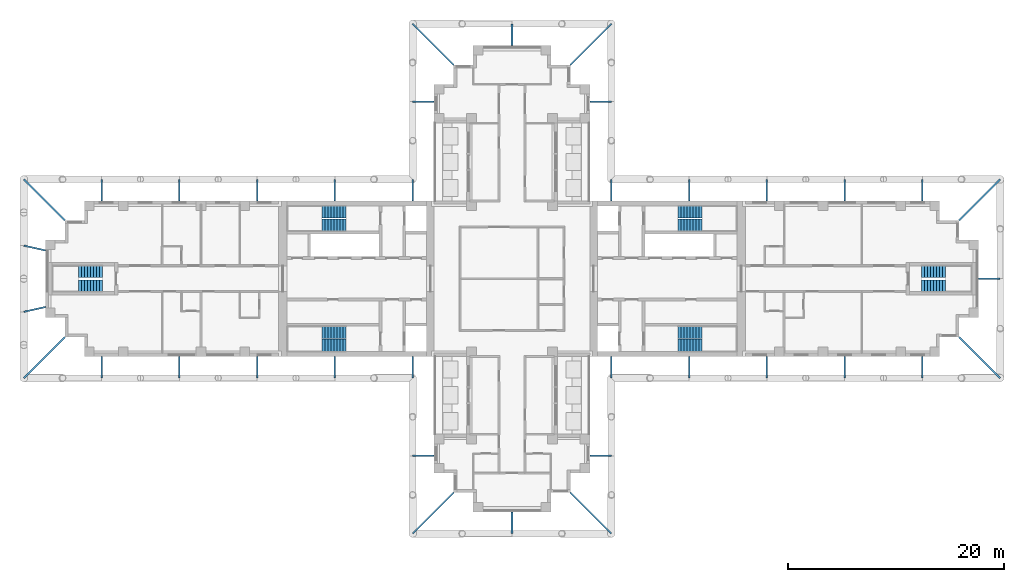
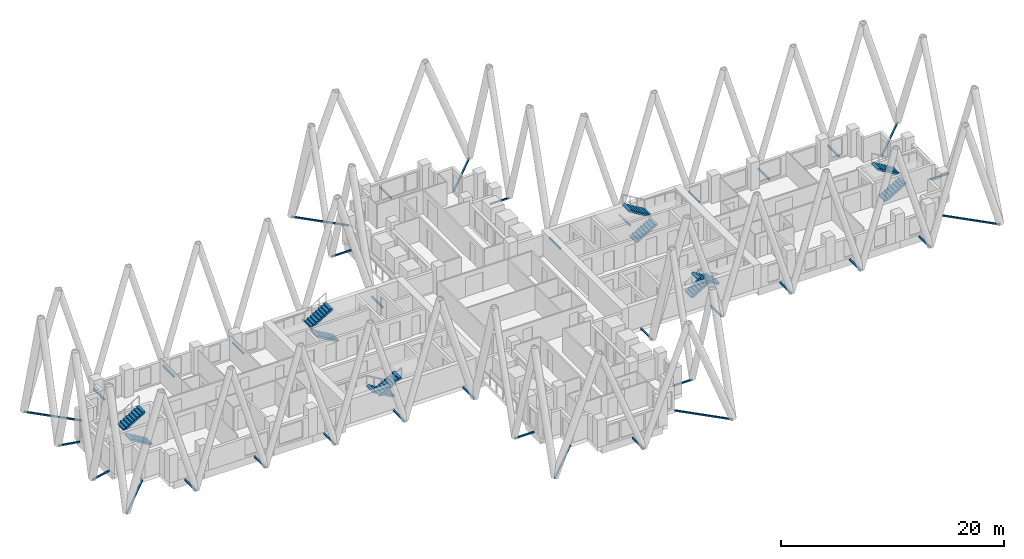
# One storey, part 10 of 12: 37 discrete accessories, 12 stair flights, 6 elements without a shape of their own.
"""IFC4 building model written with IfcOpenShell, lengths in metres."""

from ifc_helpers import new_model, si_unit, direction, frame, origin, origin_2d, place, context, subcontext, project, spatial, polyline, hollow_rectangle, outline, extrude, material, type_object, element, aggregate, save


model = new_model("IFC4")

# Units and contexts
model_context = context("Model", 3, precision=1e-05, world=origin(), true_north=direction((0.0, 1.0)))
body_context = subcontext(model_context, "Body", "Model", "MODEL_VIEW")
ifc_project = project(units=[si_unit("LENGTHUNIT", "METRE"), si_unit("AREAUNIT", "SQUARE_METRE"), si_unit("VOLUMEUNIT", "CUBIC_METRE"), si_unit("PLANEANGLEUNIT", "RADIAN"), si_unit("MASSUNIT", "GRAM", prefix="KILO")], contexts=[model_context])

# Site, building, storey
site_placement = place(None, origin())
site = spatial("IfcSite", under=ifc_project, at=site_placement, CompositionType="ELEMENT")
building_placement = place(site_placement, origin())
building = spatial("IfcBuilding", under=site, at=building_placement, Name="Fustian Cross Tower", CompositionType="ELEMENT")
storey_placement = place(building_placement, frame((0.0, 0.0, 129.300048828125)))
storey = spatial("IfcBuildingStorey", under=building, at=storey_placement, Name="L40", CompositionType="ELEMENT", Elevation=129.300048828125)

# Stair, stair flights
ifc_material_1 = material(Name="Concrete C50/60", Category="concrete")
stair_type_1 = type_object("IfcStairType", Name="STAIR 1100 HALF TURN", PredefinedType="HALF_TURN_STAIR", material=ifc_material_1)
stair_1_placement = place(storey_placement, origin())
stair_1 = element("IfcStair", 1, at=stair_1_placement, inside=storey, type_object=stair_type_1, Name="Stair ST8", PredefinedType="HALF_TURN_STAIR")
ifc_material_2 = material(Name="Concrete C50/60", Category="concrete")
stair_flight_type_1 = type_object("IfcStairFlightType", Name="STAIR FLIGHT 1100", PredefinedType="STRAIGHT", material=ifc_material_2)
stair_flight_1_placement = place(storey_placement, frame((37.89990234375, -0.64990234375, 0.0), z_axis=(0.0, 0.0, 1.0), x_axis=(1.0, 0.0, 0.0)))
stair_flight_1 = element("IfcStairFlight", 2, at=stair_flight_1_placement, type_object=stair_flight_type_1, Name="ST8 flight 1", NumberOfRisers=9, NumberOfTreads=8, PredefinedType="STRAIGHT", RiserHeight=0.166666667, TreadLength=0.28, context=body_context, shape_type="SweptSolid", body=[
    extrude(outline(polyline([(0.0, 0.0), (0.0, 0.166748046875), (0.280029296875, 0.166748046875), (0.280029296875, 0.333251953125), (0.56005859375, 0.333251953125), (0.56005859375, 0.5), (0.840087890625, 0.5), (0.840087890625, 0.666748046875), (1.1201171875, 0.666748046875), (1.1201171875, 0.833251953125), (1.39990234375, 0.833251953125), (1.39990234375, 1.0), (1.679931640625, 1.0), (1.679931640625, 1.166748046875), (1.9599609375, 1.166748046875), (1.9599609375, 1.333251953125), (2.239990234375, 1.333251953125), (2.239990234375, 1.5), (2.239990234375, 1.158935546875), (0.29296875, 0.0), (0.0, 0.0)])), frame((0.0, 0.550048828125, 0.0), z_axis=(0.0, -1.0, 0.0), x_axis=(1.0, 0.0, 0.0)), (0.0, 0.0, 1.0), 1.10009765625),
])
stair_flight_2_placement = place(storey_placement, frame((40.139892578125, 0.64990234375, 1.5), z_axis=(0.0, 0.0, 1.0), x_axis=(-1.0, 0.0, 0.0)))
stair_flight_2 = element("IfcStairFlight", 3, at=stair_flight_2_placement, type_object=stair_flight_type_1, Name="ST8 flight 2", NumberOfRisers=9, NumberOfTreads=8, PredefinedType="STRAIGHT", RiserHeight=0.166666667, TreadLength=0.28, context=body_context, shape_type="SweptSolid", body=[
    extrude(outline(polyline([(0.0, 0.0), (0.0, 0.166748046875), (0.280029296875, 0.166748046875), (0.280029296875, 0.333251953125), (0.56005859375, 0.333251953125), (0.56005859375, 0.5), (0.840087890625, 0.5), (0.840087890625, 0.666748046875), (1.1201171875, 0.666748046875), (1.1201171875, 0.833251953125), (1.39990234375, 0.833251953125), (1.39990234375, 1.0), (1.679931640625, 1.0), (1.679931640625, 1.166748046875), (1.9599609375, 1.166748046875), (1.9599609375, 1.333251953125), (2.239990234375, 1.333251953125), (2.239990234375, 1.5), (2.239990234375, 1.158935546875), (0.29296875, 0.0), (0.0, 0.0)])), frame((0.0, 0.550048828125, 0.0), z_axis=(0.0, -1.0, 0.0), x_axis=(1.0, 0.0, 0.0)), (0.0, 0.0, 1.0), 1.10009765625),
])
aggregate(stair_1, [stair_flight_1, stair_flight_2])

stair_2_placement = place(storey_placement, origin())
stair_2 = element("IfcStair", 4, at=stair_2_placement, inside=storey, type_object=stair_type_1, Name="Stair ST9", PredefinedType="HALF_TURN_STAIR")
stair_flight_3_placement = place(storey_placement, frame((-37.89990234375, -0.64990234375, 0.0), z_axis=(0.0, 0.0, 1.0), x_axis=(-1.0, 0.0, 0.0)))
stair_flight_3 = element("IfcStairFlight", 5, at=stair_flight_3_placement, type_object=stair_flight_type_1, Name="ST9 flight 1", NumberOfRisers=9, NumberOfTreads=8, PredefinedType="STRAIGHT", RiserHeight=0.166666667, TreadLength=0.28, context=body_context, shape_type="SweptSolid", body=[
    extrude(outline(polyline([(0.0, 0.0), (0.0, 0.166748046875), (0.280029296875, 0.166748046875), (0.280029296875, 0.333251953125), (0.56005859375, 0.333251953125), (0.56005859375, 0.5), (0.840087890625, 0.5), (0.840087890625, 0.666748046875), (1.1201171875, 0.666748046875), (1.1201171875, 0.833251953125), (1.39990234375, 0.833251953125), (1.39990234375, 1.0), (1.679931640625, 1.0), (1.679931640625, 1.166748046875), (1.9599609375, 1.166748046875), (1.9599609375, 1.333251953125), (2.239990234375, 1.333251953125), (2.239990234375, 1.5), (2.239990234375, 1.158935546875), (0.29296875, 0.0), (0.0, 0.0)])), frame((0.0, 0.550048828125, 0.0), z_axis=(0.0, -1.0, 0.0), x_axis=(1.0, 0.0, 0.0)), (0.0, 0.0, 1.0), 1.10009765625),
])
stair_flight_4_placement = place(storey_placement, frame((-40.139892578125, 0.64990234375, 1.5), z_axis=(0.0, 0.0, 1.0), x_axis=(1.0, 0.0, 0.0)))
stair_flight_4 = element("IfcStairFlight", 6, at=stair_flight_4_placement, type_object=stair_flight_type_1, Name="ST9 flight 2", NumberOfRisers=9, NumberOfTreads=8, PredefinedType="STRAIGHT", RiserHeight=0.166666667, TreadLength=0.28, context=body_context, shape_type="SweptSolid", body=[
    extrude(outline(polyline([(0.0, 0.0), (0.0, 0.166748046875), (0.280029296875, 0.166748046875), (0.280029296875, 0.333251953125), (0.56005859375, 0.333251953125), (0.56005859375, 0.5), (0.840087890625, 0.5), (0.840087890625, 0.666748046875), (1.1201171875, 0.666748046875), (1.1201171875, 0.833251953125), (1.39990234375, 0.833251953125), (1.39990234375, 1.0), (1.679931640625, 1.0), (1.679931640625, 1.166748046875), (1.9599609375, 1.166748046875), (1.9599609375, 1.333251953125), (2.239990234375, 1.333251953125), (2.239990234375, 1.5), (2.239990234375, 1.158935546875), (0.29296875, 0.0), (0.0, 0.0)])), frame((0.0, 0.550048828125, 0.0), z_axis=(0.0, -1.0, 0.0), x_axis=(1.0, 0.0, 0.0)), (0.0, 0.0, 1.0), 1.10009765625),
])
aggregate(stair_2, [stair_flight_3, stair_flight_4])

ifc_material_3 = material(Name="Concrete C50/60", Category="concrete")
stair_type_2 = type_object("IfcStairType", Name="STAIR 1150 HALF TURN", PredefinedType="HALF_TURN_STAIR", material=ifc_material_3)
stair_3_placement = place(storey_placement, origin())
stair_3 = element("IfcStair", 7, at=stair_3_placement, inside=storey, type_object=stair_type_2, Name="Stair ST1", PredefinedType="HALF_TURN_STAIR")
ifc_material_4 = material(Name="Concrete C50/60", Category="concrete")
stair_flight_type_2 = type_object("IfcStairFlightType", Name="STAIR FLIGHT 1150", PredefinedType="STRAIGHT", material=ifc_material_4)
stair_flight_5_placement = place(storey_placement, frame((15.35009765625, 4.97509765625, 0.0), z_axis=(0.0, 0.0, 1.0), x_axis=(1.0, 0.0, 0.0)))
stair_flight_5 = element("IfcStairFlight", 8, at=stair_flight_5_placement, type_object=stair_flight_type_2, Name="ST1 flight 1", NumberOfRisers=9, NumberOfTreads=8, PredefinedType="STRAIGHT", RiserHeight=0.166666667, TreadLength=0.28, context=body_context, shape_type="SweptSolid", body=[
    extrude(outline(polyline([(0.0, 0.0), (0.0, 0.166748046875), (0.280029296875, 0.166748046875), (0.280029296875, 0.333251953125), (0.56005859375, 0.333251953125), (0.56005859375, 0.5), (0.840087890625, 0.5), (0.840087890625, 0.666748046875), (1.1201171875, 0.666748046875), (1.1201171875, 0.833251953125), (1.39990234375, 0.833251953125), (1.39990234375, 1.0), (1.679931640625, 1.0), (1.679931640625, 1.166748046875), (1.9599609375, 1.166748046875), (1.9599609375, 1.333251953125), (2.239990234375, 1.333251953125), (2.239990234375, 1.5), (2.239990234375, 1.158935546875), (0.29296875, 0.0), (0.0, 0.0)])), frame((0.0, 0.574951171875, 0.0), z_axis=(0.0, -1.0, 0.0), x_axis=(1.0, 0.0, 0.0)), (0.0, 0.0, 1.0), 1.14990234375),
])
stair_flight_6_placement = place(storey_placement, frame((17.590087890625, 6.175048828125, 1.5), z_axis=(0.0, 0.0, 1.0), x_axis=(-1.0, 0.0, 0.0)))
stair_flight_6 = element("IfcStairFlight", 9, at=stair_flight_6_placement, type_object=stair_flight_type_2, Name="ST1 flight 2", NumberOfRisers=9, NumberOfTreads=8, PredefinedType="STRAIGHT", RiserHeight=0.166666667, TreadLength=0.28, context=body_context, shape_type="SweptSolid", body=[
    extrude(outline(polyline([(0.0, 0.0), (0.0, 0.166748046875), (0.280029296875, 0.166748046875), (0.280029296875, 0.333251953125), (0.56005859375, 0.333251953125), (0.56005859375, 0.5), (0.840087890625, 0.5), (0.840087890625, 0.666748046875), (1.1201171875, 0.666748046875), (1.1201171875, 0.833251953125), (1.39990234375, 0.833251953125), (1.39990234375, 1.0), (1.679931640625, 1.0), (1.679931640625, 1.166748046875), (1.9599609375, 1.166748046875), (1.9599609375, 1.333251953125), (2.239990234375, 1.333251953125), (2.239990234375, 1.5), (2.239990234375, 1.158935546875), (0.29296875, 0.0), (0.0, 0.0)])), frame((0.0, 0.574951171875, 0.0), z_axis=(0.0, -1.0, 0.0), x_axis=(1.0, 0.0, 0.0)), (0.0, 0.0, 1.0), 1.14990234375),
])
aggregate(stair_3, [stair_flight_5, stair_flight_6])

stair_4_placement = place(storey_placement, origin())
stair_4 = element("IfcStair", 10, at=stair_4_placement, inside=storey, type_object=stair_type_2, Name="Stair ST2", PredefinedType="HALF_TURN_STAIR")
stair_flight_7_placement = place(storey_placement, frame((15.35009765625, -4.97509765625, 0.0), z_axis=(0.0, 0.0, 1.0), x_axis=(1.0, 0.0, 0.0)))
stair_flight_7 = element("IfcStairFlight", 11, at=stair_flight_7_placement, type_object=stair_flight_type_2, Name="ST2 flight 1", NumberOfRisers=9, NumberOfTreads=8, PredefinedType="STRAIGHT", RiserHeight=0.166666667, TreadLength=0.28, context=body_context, shape_type="SweptSolid", body=[
    extrude(outline(polyline([(0.0, 0.0), (0.0, 0.166748046875), (0.280029296875, 0.166748046875), (0.280029296875, 0.333251953125), (0.56005859375, 0.333251953125), (0.56005859375, 0.5), (0.840087890625, 0.5), (0.840087890625, 0.666748046875), (1.1201171875, 0.666748046875), (1.1201171875, 0.833251953125), (1.39990234375, 0.833251953125), (1.39990234375, 1.0), (1.679931640625, 1.0), (1.679931640625, 1.166748046875), (1.9599609375, 1.166748046875), (1.9599609375, 1.333251953125), (2.239990234375, 1.333251953125), (2.239990234375, 1.5), (2.239990234375, 1.158935546875), (0.29296875, 0.0), (0.0, 0.0)])), frame((0.0, 0.574951171875, 0.0), z_axis=(0.0, -1.0, 0.0), x_axis=(1.0, 0.0, 0.0)), (0.0, 0.0, 1.0), 1.14990234375),
])
stair_flight_8_placement = place(storey_placement, frame((17.590087890625, -6.175048828125, 1.5), z_axis=(0.0, 0.0, 1.0), x_axis=(-1.0, 0.0, 0.0)))
stair_flight_8 = element("IfcStairFlight", 12, at=stair_flight_8_placement, type_object=stair_flight_type_2, Name="ST2 flight 2", NumberOfRisers=9, NumberOfTreads=8, PredefinedType="STRAIGHT", RiserHeight=0.166666667, TreadLength=0.28, context=body_context, shape_type="SweptSolid", body=[
    extrude(outline(polyline([(0.0, 0.0), (0.0, 0.166748046875), (0.280029296875, 0.166748046875), (0.280029296875, 0.333251953125), (0.56005859375, 0.333251953125), (0.56005859375, 0.5), (0.840087890625, 0.5), (0.840087890625, 0.666748046875), (1.1201171875, 0.666748046875), (1.1201171875, 0.833251953125), (1.39990234375, 0.833251953125), (1.39990234375, 1.0), (1.679931640625, 1.0), (1.679931640625, 1.166748046875), (1.9599609375, 1.166748046875), (1.9599609375, 1.333251953125), (2.239990234375, 1.333251953125), (2.239990234375, 1.5), (2.239990234375, 1.158935546875), (0.29296875, 0.0), (0.0, 0.0)])), frame((0.0, 0.574951171875, 0.0), z_axis=(0.0, -1.0, 0.0), x_axis=(1.0, 0.0, 0.0)), (0.0, 0.0, 1.0), 1.14990234375),
])
aggregate(stair_4, [stair_flight_7, stair_flight_8])

stair_5_placement = place(storey_placement, origin())
stair_5 = element("IfcStair", 13, at=stair_5_placement, inside=storey, type_object=stair_type_2, Name="Stair ST3", PredefinedType="HALF_TURN_STAIR")
stair_flight_9_placement = place(storey_placement, frame((-15.35009765625, 4.97509765625, 0.0), z_axis=(0.0, 0.0, 1.0), x_axis=(-1.0, 0.0, 0.0)))
stair_flight_9 = element("IfcStairFlight", 14, at=stair_flight_9_placement, type_object=stair_flight_type_2, Name="ST3 flight 1", NumberOfRisers=9, NumberOfTreads=8, PredefinedType="STRAIGHT", RiserHeight=0.166666667, TreadLength=0.28, context=body_context, shape_type="SweptSolid", body=[
    extrude(outline(polyline([(0.0, 0.0), (0.0, 0.166748046875), (0.280029296875, 0.166748046875), (0.280029296875, 0.333251953125), (0.56005859375, 0.333251953125), (0.56005859375, 0.5), (0.840087890625, 0.5), (0.840087890625, 0.666748046875), (1.1201171875, 0.666748046875), (1.1201171875, 0.833251953125), (1.39990234375, 0.833251953125), (1.39990234375, 1.0), (1.679931640625, 1.0), (1.679931640625, 1.166748046875), (1.9599609375, 1.166748046875), (1.9599609375, 1.333251953125), (2.239990234375, 1.333251953125), (2.239990234375, 1.5), (2.239990234375, 1.158935546875), (0.29296875, 0.0), (0.0, 0.0)])), frame((0.0, 0.574951171875, 0.0), z_axis=(0.0, -1.0, 0.0), x_axis=(1.0, 0.0, 0.0)), (0.0, 0.0, 1.0), 1.14990234375),
])
stair_flight_10_placement = place(storey_placement, frame((-17.590087890625, 6.175048828125, 1.5), z_axis=(0.0, 0.0, 1.0), x_axis=(1.0, 0.0, 0.0)))
stair_flight_10 = element("IfcStairFlight", 15, at=stair_flight_10_placement, type_object=stair_flight_type_2, Name="ST3 flight 2", NumberOfRisers=9, NumberOfTreads=8, PredefinedType="STRAIGHT", RiserHeight=0.166666667, TreadLength=0.28, context=body_context, shape_type="SweptSolid", body=[
    extrude(outline(polyline([(0.0, 0.0), (0.0, 0.166748046875), (0.280029296875, 0.166748046875), (0.280029296875, 0.333251953125), (0.56005859375, 0.333251953125), (0.56005859375, 0.5), (0.840087890625, 0.5), (0.840087890625, 0.666748046875), (1.1201171875, 0.666748046875), (1.1201171875, 0.833251953125), (1.39990234375, 0.833251953125), (1.39990234375, 1.0), (1.679931640625, 1.0), (1.679931640625, 1.166748046875), (1.9599609375, 1.166748046875), (1.9599609375, 1.333251953125), (2.239990234375, 1.333251953125), (2.239990234375, 1.5), (2.239990234375, 1.158935546875), (0.29296875, 0.0), (0.0, 0.0)])), frame((0.0, 0.574951171875, 0.0), z_axis=(0.0, -1.0, 0.0), x_axis=(1.0, 0.0, 0.0)), (0.0, 0.0, 1.0), 1.14990234375),
])
aggregate(stair_5, [stair_flight_9, stair_flight_10])

stair_6_placement = place(storey_placement, origin())
stair_6 = element("IfcStair", 16, at=stair_6_placement, inside=storey, type_object=stair_type_2, Name="Stair ST4", PredefinedType="HALF_TURN_STAIR")
stair_flight_11_placement = place(storey_placement, frame((-15.35009765625, -4.97509765625, 0.0), z_axis=(0.0, 0.0, 1.0), x_axis=(-1.0, 0.0, 0.0)))
stair_flight_11 = element("IfcStairFlight", 17, at=stair_flight_11_placement, type_object=stair_flight_type_2, Name="ST4 flight 1", NumberOfRisers=9, NumberOfTreads=8, PredefinedType="STRAIGHT", RiserHeight=0.166666667, TreadLength=0.28, context=body_context, shape_type="SweptSolid", body=[
    extrude(outline(polyline([(0.0, 0.0), (0.0, 0.166748046875), (0.280029296875, 0.166748046875), (0.280029296875, 0.333251953125), (0.56005859375, 0.333251953125), (0.56005859375, 0.5), (0.840087890625, 0.5), (0.840087890625, 0.666748046875), (1.1201171875, 0.666748046875), (1.1201171875, 0.833251953125), (1.39990234375, 0.833251953125), (1.39990234375, 1.0), (1.679931640625, 1.0), (1.679931640625, 1.166748046875), (1.9599609375, 1.166748046875), (1.9599609375, 1.333251953125), (2.239990234375, 1.333251953125), (2.239990234375, 1.5), (2.239990234375, 1.158935546875), (0.29296875, 0.0), (0.0, 0.0)])), frame((0.0, 0.574951171875, 0.0), z_axis=(0.0, -1.0, 0.0), x_axis=(1.0, 0.0, 0.0)), (0.0, 0.0, 1.0), 1.14990234375),
])
stair_flight_12_placement = place(storey_placement, frame((-17.590087890625, -6.175048828125, 1.5), z_axis=(0.0, 0.0, 1.0), x_axis=(1.0, 0.0, 0.0)))
stair_flight_12 = element("IfcStairFlight", 18, at=stair_flight_12_placement, type_object=stair_flight_type_2, Name="ST4 flight 2", NumberOfRisers=9, NumberOfTreads=8, PredefinedType="STRAIGHT", RiserHeight=0.166666667, TreadLength=0.28, context=body_context, shape_type="SweptSolid", body=[
    extrude(outline(polyline([(0.0, 0.0), (0.0, 0.166748046875), (0.280029296875, 0.166748046875), (0.280029296875, 0.333251953125), (0.56005859375, 0.333251953125), (0.56005859375, 0.5), (0.840087890625, 0.5), (0.840087890625, 0.666748046875), (1.1201171875, 0.666748046875), (1.1201171875, 0.833251953125), (1.39990234375, 0.833251953125), (1.39990234375, 1.0), (1.679931640625, 1.0), (1.679931640625, 1.166748046875), (1.9599609375, 1.166748046875), (1.9599609375, 1.333251953125), (2.239990234375, 1.333251953125), (2.239990234375, 1.5), (2.239990234375, 1.158935546875), (0.29296875, 0.0), (0.0, 0.0)])), frame((0.0, 0.574951171875, 0.0), z_axis=(0.0, -1.0, 0.0), x_axis=(1.0, 0.0, 0.0)), (0.0, 0.0, 1.0), 1.14990234375),
])
aggregate(stair_6, [stair_flight_11, stair_flight_12])

# Discrete accessories
ifc_material_5 = material(Name="Steel S355", Category="steel")
discrete_accessory_1_placement = place(storey_placement, frame((45.199951171875, 0.0, -0.150146484375), z_axis=(-1.0, 0.0, 0.0), x_axis=(0.0, -1.0, 0.0)))
element("IfcDiscreteAccessory", 19, at=discrete_accessory_1_placement, inside=storey, material=ifc_material_5, Name="Diagrid node bracket L40-01", PredefinedType="BRACKET", context=body_context, shape_type="SweptSolid", body=[
    extrude(hollow_rectangle(XDim=0.14990234375, YDim=0.14990234375, WallThickness=0.010009765625, at=origin_2d()), origin(), (0.0, 0.0, 1.0), 2.0),
])
discrete_accessory_2_placement = place(storey_placement, frame((45.199951171875, 9.199951171875, -0.150146484375), z_axis=(-0.707106781187, -0.707106781187, 0.0), x_axis=(0.707106781187, -0.707106781187, 0.0)))
element("IfcDiscreteAccessory", 20, at=discrete_accessory_2_placement, inside=storey, material=ifc_material_5, Name="Diagrid node bracket L40-02", PredefinedType="BRACKET", context=body_context, shape_type="SweptSolid", body=[
    extrude(hollow_rectangle(XDim=0.14990234375, YDim=0.14990234375, WallThickness=0.010009765625, at=origin_2d()), origin(), (0.0, 0.0, 1.0), 5.3740234375),
])
for number, where, z_axis, x_axis, name in (
    (21, (38.0, 9.199951171875, -0.150146484375), (0.0, -1.0, 0.0), (1.0, 0.0, 0.0), "Diagrid node bracket L40-03"),
    (22, (30.800048828125, 9.199951171875, -0.150146484375), (0.0, -1.0, 0.0), (1.0, 0.0, 0.0), "Diagrid node bracket L40-04"),
    (23, (23.60009765625, 9.199951171875, -0.150146484375), (0.0, -1.0, 0.0), (1.0, 0.0, 0.0), "Diagrid node bracket L40-05"),
    (24, (16.39990234375, 9.199951171875, -0.150146484375), (0.0, -1.0, 0.0), (1.0, 0.0, 0.0), "Diagrid node bracket L40-06"),
    (25, (9.199951171875, 9.199951171875, -0.150146484375), (0.0, -1.0, 0.0), (1.0, 0.0, 0.0), "Diagrid node bracket L40-07"),
    (26, (9.199951171875, 16.39990234375, -0.150146484375), (-1.0, 0.0, 0.0), (0.0, -1.0, 0.0), "Diagrid node bracket L40-08"),
):
    element("IfcDiscreteAccessory", number, at=place(storey_placement, frame(where, z_axis=z_axis, x_axis=x_axis)), inside=storey, material=ifc_material_5, Name=name, PredefinedType="BRACKET", context=body_context, shape_type="SweptSolid", body=[
        extrude(hollow_rectangle(XDim=0.14990234375, YDim=0.14990234375, WallThickness=0.010009765625, at=origin_2d()), origin(), (0.0, 0.0, 1.0), 2.0),
    ])
discrete_accessory_3_placement = place(storey_placement, frame((9.199951171875, 23.60009765625, -0.150146484375), z_axis=(-0.707106781187, -0.707106781187, 0.0), x_axis=(0.707106781187, -0.707106781187, 0.0)))
element("IfcDiscreteAccessory", 27, at=discrete_accessory_3_placement, inside=storey, material=ifc_material_5, Name="Diagrid node bracket L40-09", PredefinedType="BRACKET", context=body_context, shape_type="SweptSolid", body=[
    extrude(hollow_rectangle(XDim=0.14990234375, YDim=0.14990234375, WallThickness=0.010009765625, at=origin_2d()), origin(), (0.0, 0.0, 1.0), 5.3740234375),
])
discrete_accessory_4_placement = place(storey_placement, frame((0.0, 23.60009765625, -0.150146484375), z_axis=(0.0, -1.0, 0.0), x_axis=(1.0, 0.0, 0.0)))
element("IfcDiscreteAccessory", 28, at=discrete_accessory_4_placement, inside=storey, material=ifc_material_5, Name="Diagrid node bracket L40-10", PredefinedType="BRACKET", context=body_context, shape_type="SweptSolid", body=[
    extrude(hollow_rectangle(XDim=0.14990234375, YDim=0.14990234375, WallThickness=0.010009765625, at=origin_2d()), origin(), (0.0, 0.0, 1.0), 2.0),
])
discrete_accessory_5_placement = place(storey_placement, frame((-9.199951171875, 23.60009765625, -0.150146484375), z_axis=(0.707106781187, -0.707106781187, 0.0), x_axis=(0.707106781187, 0.707106781187, 0.0)))
element("IfcDiscreteAccessory", 29, at=discrete_accessory_5_placement, inside=storey, material=ifc_material_5, Name="Diagrid node bracket L40-11", PredefinedType="BRACKET", context=body_context, shape_type="SweptSolid", body=[
    extrude(hollow_rectangle(XDim=0.14990234375, YDim=0.14990234375, WallThickness=0.010009765625, at=origin_2d()), origin(), (0.0, 0.0, 1.0), 5.3740234375),
])
for number, where, z_axis, x_axis, name in (
    (30, (-9.199951171875, 16.39990234375, -0.150146484375), (1.0, 0.0, 0.0), (0.0, 1.0, 0.0), "Diagrid node bracket L40-12"),
    (31, (-9.199951171875, 9.199951171875, -0.150146484375), (0.0, -1.0, 0.0), (1.0, 0.0, 0.0), "Diagrid node bracket L40-13"),
    (32, (-16.39990234375, 9.199951171875, -0.150146484375), (0.0, -1.0, 0.0), (1.0, 0.0, 0.0), "Diagrid node bracket L40-14"),
    (33, (-23.60009765625, 9.199951171875, -0.150146484375), (0.0, -1.0, 0.0), (1.0, 0.0, 0.0), "Diagrid node bracket L40-15"),
    (34, (-30.800048828125, 9.199951171875, -0.150146484375), (0.0, -1.0, 0.0), (1.0, 0.0, 0.0), "Diagrid node bracket L40-16"),
    (35, (-38.0, 9.199951171875, -0.150146484375), (0.0, -1.0, 0.0), (1.0, 0.0, 0.0), "Diagrid node bracket L40-17"),
):
    element("IfcDiscreteAccessory", number, at=place(storey_placement, frame(where, z_axis=z_axis, x_axis=x_axis)), inside=storey, material=ifc_material_5, Name=name, PredefinedType="BRACKET", context=body_context, shape_type="SweptSolid", body=[
        extrude(hollow_rectangle(XDim=0.14990234375, YDim=0.14990234375, WallThickness=0.010009765625, at=origin_2d()), origin(), (0.0, 0.0, 1.0), 2.0),
    ])
discrete_accessory_6_placement = place(storey_placement, frame((-45.199951171875, 9.199951171875, -0.150146484375), z_axis=(0.707106781187, -0.707106781187, 0.0), x_axis=(0.707106781187, 0.707106781187, 0.0)))
element("IfcDiscreteAccessory", 36, at=discrete_accessory_6_placement, inside=storey, material=ifc_material_5, Name="Diagrid node bracket L40-18", PredefinedType="BRACKET", context=body_context, shape_type="SweptSolid", body=[
    extrude(hollow_rectangle(XDim=0.14990234375, YDim=0.14990234375, WallThickness=0.010009765625, at=origin_2d()), origin(), (0.0, 0.0, 1.0), 5.3740234375),
])
for number, where, z_axis, x_axis, name in (
    (37, (-45.199951171875, 3.066650390625, -0.150146484375), (0.97561485681, -0.21948952406, 0.0), (0.21948952406, 0.97561485681, 0.0), "Diagrid node bracket L40-19"),
    (38, (-45.199951171875, -3.066650390625, -0.150146484375), (0.97561485681, 0.21948952406, 0.0), (-0.21948952406, 0.97561485681, 0.0), "Diagrid node bracket L40-20"),
):
    element("IfcDiscreteAccessory", number, at=place(storey_placement, frame(where, z_axis=z_axis, x_axis=x_axis)), inside=storey, material=ifc_material_5, Name=name, PredefinedType="BRACKET", context=body_context, shape_type="SweptSolid", body=[
        extrude(hollow_rectangle(XDim=0.14990234375, YDim=0.14990234375, WallThickness=0.010009765625, at=origin_2d()), origin(), (0.0, 0.0, 1.0), 2.050048828125),
    ])
discrete_accessory_7_placement = place(storey_placement, frame((-45.199951171875, -9.199951171875, -0.150146484375), z_axis=(0.707106781187, 0.707106781187, 0.0), x_axis=(-0.707106781187, 0.707106781187, 0.0)))
element("IfcDiscreteAccessory", 39, at=discrete_accessory_7_placement, inside=storey, material=ifc_material_5, Name="Diagrid node bracket L40-21", PredefinedType="BRACKET", context=body_context, shape_type="SweptSolid", body=[
    extrude(hollow_rectangle(XDim=0.14990234375, YDim=0.14990234375, WallThickness=0.010009765625, at=origin_2d()), origin(), (0.0, 0.0, 1.0), 5.3740234375),
])
for number, where, z_axis, x_axis, name in (
    (40, (-38.0, -9.199951171875, -0.150146484375), (0.0, 1.0, 0.0), (-1.0, 0.0, 0.0), "Diagrid node bracket L40-22"),
    (41, (-30.800048828125, -9.199951171875, -0.150146484375), (0.0, 1.0, 0.0), (-1.0, 0.0, 0.0), "Diagrid node bracket L40-23"),
    (42, (-23.60009765625, -9.199951171875, -0.150146484375), (0.0, 1.0, 0.0), (-1.0, 0.0, 0.0), "Diagrid node bracket L40-24"),
    (43, (-16.39990234375, -9.199951171875, -0.150146484375), (0.0, 1.0, 0.0), (-1.0, 0.0, 0.0), "Diagrid node bracket L40-25"),
    (44, (-9.199951171875, -9.199951171875, -0.150146484375), (0.0, 1.0, 0.0), (-1.0, 0.0, 0.0), "Diagrid node bracket L40-26"),
    (45, (-9.199951171875, -16.39990234375, -0.150146484375), (1.0, 0.0, 0.0), (0.0, 1.0, 0.0), "Diagrid node bracket L40-27"),
):
    element("IfcDiscreteAccessory", number, at=place(storey_placement, frame(where, z_axis=z_axis, x_axis=x_axis)), inside=storey, material=ifc_material_5, Name=name, PredefinedType="BRACKET", context=body_context, shape_type="SweptSolid", body=[
        extrude(hollow_rectangle(XDim=0.14990234375, YDim=0.14990234375, WallThickness=0.010009765625, at=origin_2d()), origin(), (0.0, 0.0, 1.0), 2.0),
    ])
discrete_accessory_8_placement = place(storey_placement, frame((-9.199951171875, -23.60009765625, -0.150146484375), z_axis=(0.707106781187, 0.707106781187, 0.0), x_axis=(-0.707106781187, 0.707106781187, 0.0)))
element("IfcDiscreteAccessory", 46, at=discrete_accessory_8_placement, inside=storey, material=ifc_material_5, Name="Diagrid node bracket L40-28", PredefinedType="BRACKET", context=body_context, shape_type="SweptSolid", body=[
    extrude(hollow_rectangle(XDim=0.14990234375, YDim=0.14990234375, WallThickness=0.010009765625, at=origin_2d()), origin(), (0.0, 0.0, 1.0), 5.3740234375),
])
discrete_accessory_9_placement = place(storey_placement, frame((0.0, -23.60009765625, -0.150146484375), z_axis=(0.0, 1.0, 0.0), x_axis=(-1.0, 0.0, 0.0)))
element("IfcDiscreteAccessory", 47, at=discrete_accessory_9_placement, inside=storey, material=ifc_material_5, Name="Diagrid node bracket L40-29", PredefinedType="BRACKET", context=body_context, shape_type="SweptSolid", body=[
    extrude(hollow_rectangle(XDim=0.14990234375, YDim=0.14990234375, WallThickness=0.010009765625, at=origin_2d()), origin(), (0.0, 0.0, 1.0), 2.0),
])
discrete_accessory_10_placement = place(storey_placement, frame((9.199951171875, -23.60009765625, -0.150146484375), z_axis=(-0.707106781187, 0.707106781187, 0.0), x_axis=(-0.707106781187, -0.707106781187, 0.0)))
element("IfcDiscreteAccessory", 48, at=discrete_accessory_10_placement, inside=storey, material=ifc_material_5, Name="Diagrid node bracket L40-30", PredefinedType="BRACKET", context=body_context, shape_type="SweptSolid", body=[
    extrude(hollow_rectangle(XDim=0.14990234375, YDim=0.14990234375, WallThickness=0.010009765625, at=origin_2d()), origin(), (0.0, 0.0, 1.0), 5.3740234375),
])
for number, where, z_axis, x_axis, name in (
    (49, (9.199951171875, -16.39990234375, -0.150146484375), (-1.0, 0.0, 0.0), (0.0, -1.0, 0.0), "Diagrid node bracket L40-31"),
    (50, (9.199951171875, -9.199951171875, -0.150146484375), (0.0, 1.0, 0.0), (-1.0, 0.0, 0.0), "Diagrid node bracket L40-32"),
    (51, (16.39990234375, -9.199951171875, -0.150146484375), (0.0, 1.0, 0.0), (-1.0, 0.0, 0.0), "Diagrid node bracket L40-33"),
    (52, (23.60009765625, -9.199951171875, -0.150146484375), (0.0, 1.0, 0.0), (-1.0, 0.0, 0.0), "Diagrid node bracket L40-34"),
    (53, (30.800048828125, -9.199951171875, -0.150146484375), (0.0, 1.0, 0.0), (-1.0, 0.0, 0.0), "Diagrid node bracket L40-35"),
    (54, (38.0, -9.199951171875, -0.150146484375), (0.0, 1.0, 0.0), (-1.0, 0.0, 0.0), "Diagrid node bracket L40-36"),
):
    element("IfcDiscreteAccessory", number, at=place(storey_placement, frame(where, z_axis=z_axis, x_axis=x_axis)), inside=storey, material=ifc_material_5, Name=name, PredefinedType="BRACKET", context=body_context, shape_type="SweptSolid", body=[
        extrude(hollow_rectangle(XDim=0.14990234375, YDim=0.14990234375, WallThickness=0.010009765625, at=origin_2d()), origin(), (0.0, 0.0, 1.0), 2.0),
    ])
discrete_accessory_11_placement = place(storey_placement, frame((45.199951171875, -9.199951171875, -0.150146484375), z_axis=(-0.707106781187, 0.707106781187, 0.0), x_axis=(-0.707106781187, -0.707106781187, 0.0)))
element("IfcDiscreteAccessory", 55, at=discrete_accessory_11_placement, inside=storey, material=ifc_material_5, Name="Diagrid node bracket L40-37", PredefinedType="BRACKET", context=body_context, shape_type="SweptSolid", body=[
    extrude(hollow_rectangle(XDim=0.14990234375, YDim=0.14990234375, WallThickness=0.010009765625, at=origin_2d()), origin(), (0.0, 0.0, 1.0), 5.3740234375),
])

save(model, "model.ifc")
